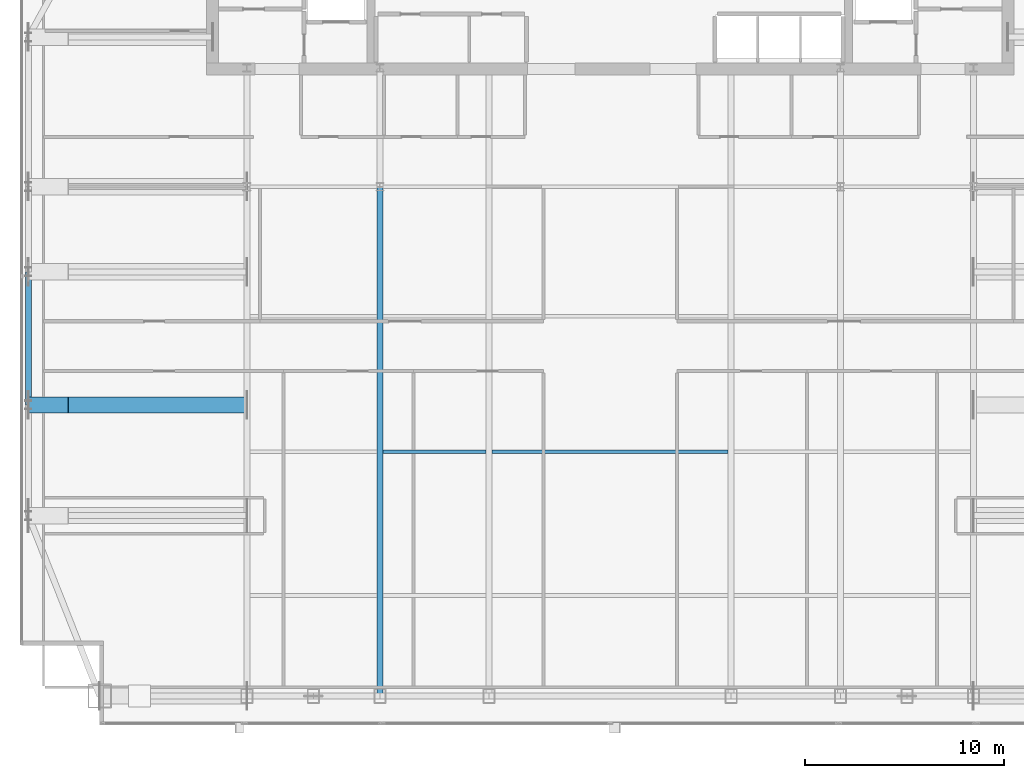
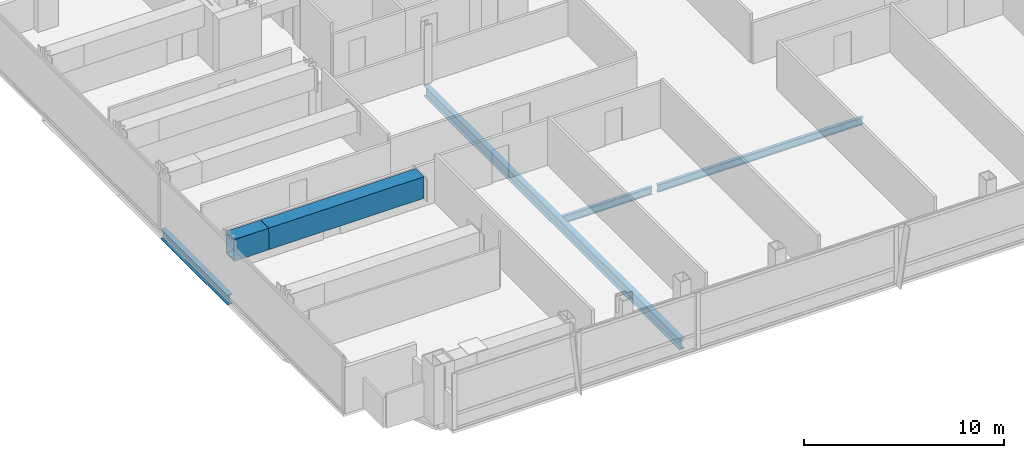
# One storey, part 8 of 26: 6 beams.
"""IFC4 building model written with IfcOpenShell, lengths in metres."""

from ifc_helpers import new_model, si_unit, direction, frame, origin, origin_2d, place, context, subcontext, project, spatial, hollow_rectangle, i_section, extrude, material, material_profile, profile_set, type_object, element, save


model = new_model("IFC4")

# Units and contexts
model_context = context("Model", 3, precision=1e-05, world=origin(), true_north=direction((0.0, 1.0)))
body_context = subcontext(model_context, "Body", "Model", "MODEL_VIEW")
ifc_project = project(units=[si_unit("LENGTHUNIT", "METRE"), si_unit("AREAUNIT", "SQUARE_METRE"), si_unit("VOLUMEUNIT", "CUBIC_METRE"), si_unit("PLANEANGLEUNIT", "RADIAN"), si_unit("MASSUNIT", "GRAM", prefix="KILO")], contexts=[model_context])

# Site, building, storey
site_placement = place(None, origin())
site = spatial("IfcSite", under=ifc_project, at=site_placement, CompositionType="ELEMENT")
building_placement = place(site_placement, origin())
building = spatial("IfcBuilding", under=site, at=building_placement, Name="Khoronbel Lancet Exchange", CompositionType="ELEMENT")
storey_placement = place(building_placement, frame((0.0, 0.0, 235.39990234375)))
storey = spatial("IfcBuildingStorey", under=building, at=storey_placement, Name="L60", CompositionType="ELEMENT", Elevation=235.39990234375)

# Beams
ifc_material_1 = material(Name="Steel S355", Category="steel")
ifc_material_profile_1 = material_profile(ifc_material_1, i_section(OverallWidth=0.300048828125, OverallDepth=0.64990234375, WebThickness=0.01611328125, FlangeThickness=0.031005859375, at=origin_2d()), Name="HEB 650")
ifc_profile_set_1 = profile_set([ifc_material_profile_1], Name="Steel S355")
beam_type_1 = type_object("IfcBeamType", Name="BM-BG4", PredefinedType="BEAM", material=ifc_profile_set_1)
beam_1_placement = place(storey_placement, frame((24.89990234375, 10.14990234375, -0.48486328125), z_axis=(0.0, 1.0, 0.0), x_axis=(-1.0, 0.0, 0.0)))
element("IfcBeam", 1, at=beam_1_placement, inside=storey, type_object=beam_type_1, Name="Level L60 south primary girder GS2", PredefinedType="BEAM", context=body_context, shape_type="SweptSolid", body=[
    extrude(i_section(OverallWidth=0.300048828125, OverallDepth=0.64990234375, WebThickness=0.01611328125, FlangeThickness=0.031005859375, at=origin_2d()), origin(), (0.0, 0.0, 1.0), 25.550048828125),
])
ifc_material_profile_2 = material_profile(ifc_material_1, i_section(OverallWidth=0.18994140625, OverallDepth=0.449951171875, WebThickness=0.009521484375, FlangeThickness=0.0146484375, at=origin_2d()), Name="IPE 450")
ifc_profile_set_2 = profile_set([ifc_material_profile_2], Name="Steel S355")
beam_type_2 = type_object("IfcBeamType", Name="BM-BJ4", PredefinedType="JOIST", material=ifc_profile_set_2)
beam_2_placement = place(storey_placement, frame((25.050048828125, 22.39990234375, -0.385009765625), z_axis=(1.0, 0.0, 0.0), x_axis=(0.0, 1.0, 0.0)))
element("IfcBeam", 2, at=beam_2_placement, inside=storey, type_object=beam_type_2, Name="Level L60 secondary composite joist J07", PredefinedType="JOIST", context=body_context, shape_type="SweptSolid", body=[
    extrude(i_section(OverallWidth=0.18994140625, OverallDepth=0.449951171875, WebThickness=0.009521484375, FlangeThickness=0.0146484375, at=origin_2d()), origin(), (0.0, 0.0, 1.0), 5.175048828125),
])
beam_3_placement = place(storey_placement, frame((30.52490234375, 22.39990234375, -0.385009765625), z_axis=(1.0, 0.0, 0.0), x_axis=(0.0, 1.0, 0.0)))
element("IfcBeam", 3, at=beam_3_placement, inside=storey, type_object=beam_type_2, Name="Level L60 secondary composite joist J08", PredefinedType="JOIST", context=body_context, shape_type="SweptSolid", body=[
    extrude(i_section(OverallWidth=0.18994140625, OverallDepth=0.449951171875, WebThickness=0.009521484375, FlangeThickness=0.0146484375, at=origin_2d()), origin(), (0.0, 0.0, 1.0), 11.85009765625),
])
ifc_material_profile_3 = material_profile(ifc_material_1, i_section(OverallWidth=0.300048828125, OverallDepth=0.60009765625, WebThickness=0.015380859375, FlangeThickness=0.030029296875, at=origin_2d()), Name="HEB 600")
ifc_profile_set_3 = profile_set([ifc_material_profile_3], Name="Steel S355")
beam_type_3 = type_object("IfcBeamType", Name="BM-BSP2", PredefinedType="SPANDREL", material=ifc_profile_set_3)
beam_4_placement = place(storey_placement, frame((7.27001953125, 31.425048828125, -0.4599609375), z_axis=(0.0, -1.0, 0.0), x_axis=(1.0, 0.0, 0.0)))
element("IfcBeam", 4, at=beam_4_placement, inside=storey, type_object=beam_type_3, Name="Level L60 perimeter spandrel beam SP19", PredefinedType="SPANDREL", context=body_context, shape_type="SweptSolid", body=[
    extrude(i_section(OverallWidth=0.300048828125, OverallDepth=0.60009765625, WebThickness=0.015380859375, FlangeThickness=0.030029296875, at=origin_2d()), origin(), (0.0, 0.0, 1.0), 6.675048828125),
])
ifc_material_2 = material(Name="Steel S460", Category="steel")
ifc_material_profile_4 = material_profile(ifc_material_2, hollow_rectangle(XDim=0.820068359375, YDim=1.320068359375, WallThickness=0.070068359375, at=origin_2d()), Name="BOX 820x1320x70")
ifc_profile_set_4 = profile_set([ifc_material_profile_4], Name="Steel S460")
beam_type_4 = type_object("IfcBeamType", Name="BM-TG4", PredefinedType="USERDEFINED", material=ifc_profile_set_4)
beam_5_placement = place(storey_placement, frame((7.27001953125, 24.75, 2.760009765625), z_axis=(0.99994990606, 0.0, 0.010009264196), x_axis=(0.0, 1.0, 0.0)))
element("IfcBeam", 5, at=beam_5_placement, inside=storey, type_object=beam_type_4, Name="Setback transfer knee-brace girder L60-WC-2", ObjectType="TRANSFER GIRDER", PredefinedType="USERDEFINED", context=body_context, shape_type="SweptSolid", body=[
    extrude(hollow_rectangle(XDim=0.820068359375, YDim=1.320068359375, WallThickness=0.070068359375, at=origin_2d()), origin(), (0.0, 0.0, 1.0), 2.0),
])
beam_6_placement = place(storey_placement, frame((7.27001953125, 24.75, 2.780029296875), z_axis=(1.0, 0.0, 0.0), x_axis=(0.0, 1.0, 0.0)))
element("IfcBeam", 6, at=beam_6_placement, inside=storey, type_object=beam_type_4, Name="Lens setback S460 transfer girder L60-W2", ObjectType="TRANSFER GIRDER", PredefinedType="USERDEFINED", context=body_context, shape_type="SweptSolid", body=[
    extrude(hollow_rectangle(XDim=0.820068359375, YDim=1.320068359375, WallThickness=0.070068359375, at=origin_2d()), origin(), (0.0, 0.0, 1.0), 10.955078125),
])

save(model, "model.ifc")
